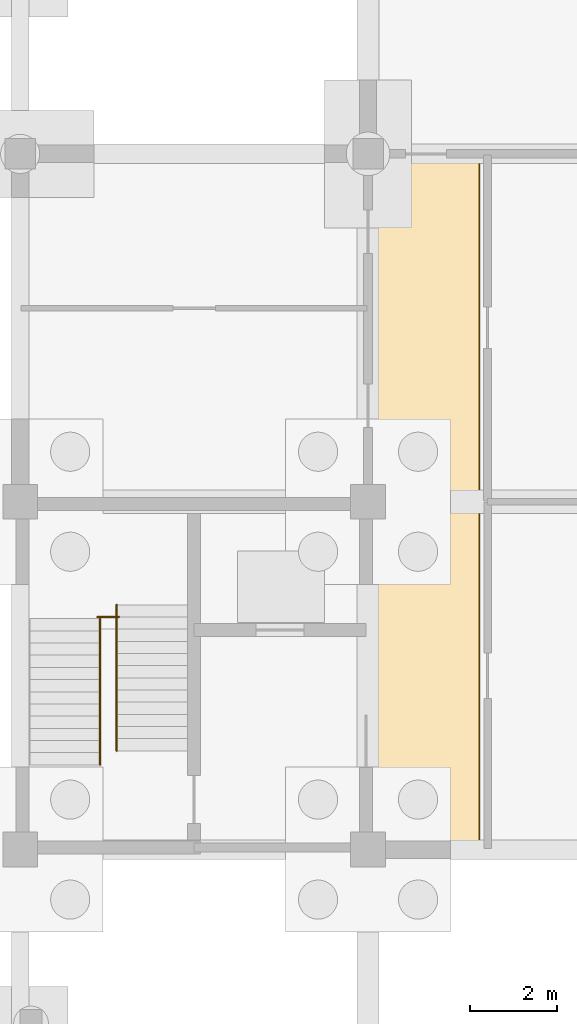
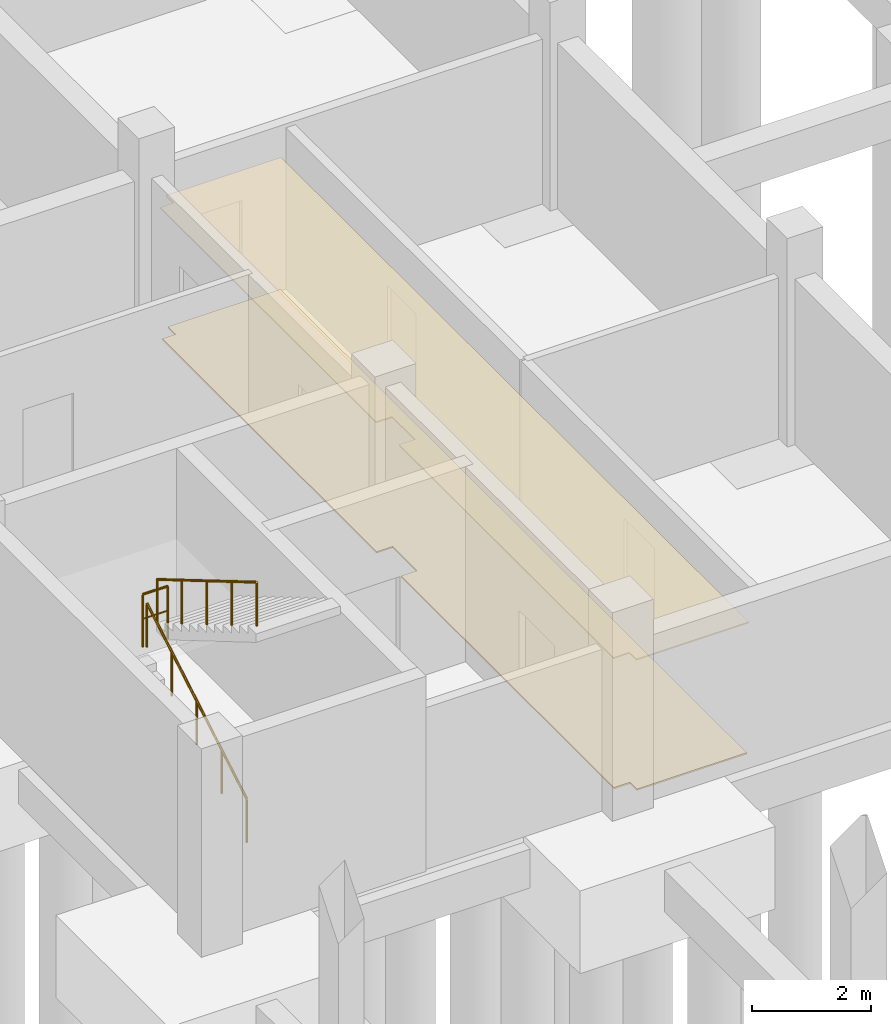
# One storey, part 40 of 48: 3 railings, 2 coverings.
"""IFC4 building model written with IfcOpenShell, lengths in metres."""

from ifc_helpers import new_model, si_unit, derived_unit, direction, frame, origin, origin_2d, place, context, subcontext, project, spatial, polyline, circle, outline, extrude, material, layer, layer_set, type_object, element, save


model = new_model("IFC4")

# Units and contexts
model_context = context("Model", 3, precision=1e-05, world=origin(), true_north=direction((0.0, 1.0)))
body_context = subcontext(model_context, "Body", "Model", "MODEL_VIEW")
ifc_project = project(units=[si_unit("LENGTHUNIT", "METRE"), si_unit("AREAUNIT", "SQUARE_METRE"), si_unit("VOLUMEUNIT", "CUBIC_METRE"), si_unit("PLANEANGLEUNIT", "RADIAN"), si_unit("MASSUNIT", "GRAM", prefix="KILO"), derived_unit("THERMALTRANSMITTANCEUNIT", [(si_unit("MASSUNIT", "GRAM", prefix="KILO"), 1), (si_unit("TIMEUNIT", "SECOND"), -3), (si_unit("THERMODYNAMICTEMPERATUREUNIT", "KELVIN"), -1)])], contexts=[model_context])

# Site, building, storey
site_placement = place(None, origin())
site = spatial("IfcSite", under=ifc_project, at=site_placement, CompositionType="ELEMENT")
building_placement = place(site_placement, origin())
building = spatial("IfcBuilding", under=site, at=building_placement, Name="Veyamyaing Civic Hall", CompositionType="ELEMENT")
storey_placement = place(building_placement, frame((0.0, 0.0, -4.2900390625)))
storey = spatial("IfcBuildingStorey", under=building, at=storey_placement, Name="B1", CompositionType="ELEMENT", Elevation=-4.2900390625)

# Coverings
ifc_material_1 = material(Name="Perforated acoustic gypsum ceiling board")
ifc_layer_1 = layer(ifc_material_1, 0.02490234375, Name="Perforated acoustic gypsum ceiling board")
ifc_layer_set_1 = layer_set([ifc_layer_1], Name="Perforated acoustic gypsum ceiling board")
covering_type_1 = type_object("IfcCoveringType", Name="CLG-01", PredefinedType="CEILING", material=ifc_layer_set_1)
covering_1_placement = place(storey_placement, frame((0.0, 0.0, 2.699951171875)))
element("IfcCovering", 1, at=covering_1_placement, inside=storey, type_object=covering_type_1, Name="Acoustic suspended ceiling CLG-01 B1-C02", PredefinedType="CEILING", context=body_context, shape_type="SweptSolid", body=[
    extrude(outline(polyline([(8.385009765625, 16.155029296875), (8.385009765625, 16.385009765625), (8.074951171875, 16.385009765625), (8.074951171875, 23.614990234375), (8.385009765625, 23.614990234375), (8.385009765625, 24.385009765625), (8.074951171875, 24.385009765625), (8.074951171875, 31.6650390625), (8.3349609375, 31.6650390625), (8.3349609375, 31.925048828125), (10.574951171875, 31.925048828125), (10.574951171875, 16.155029296875), (8.385009765625, 16.155029296875)])), origin(), (0.0, 0.0, 1.0), 0.025146484375),
])
ifc_material_2 = material(Name="Polished Mandalay marble and terrazzo flooring", Category="masonry")
ifc_layer_2 = layer(ifc_material_2, 0.030029296875, Name="Polished Mandalay marble and terrazzo flooring")
ifc_layer_set_2 = layer_set([ifc_layer_2], Name="Polished Mandalay marble and terrazzo flooring")
covering_type_2 = type_object("IfcCoveringType", Name="FLR-01", PredefinedType="FLOORING", material=ifc_layer_set_2)
covering_2_placement = place(storey_placement, origin())
element("IfcCovering", 2, at=covering_2_placement, inside=storey, type_object=covering_type_2, Name="Stone and terrazzo flooring FLR-01 B1-C02", PredefinedType="FLOORING", context=body_context, shape_type="SweptSolid", body=[
    extrude(outline(polyline([(8.409912109375, 16.179931640625), (8.409912109375, 16.409912109375), (8.10009765625, 16.409912109375), (8.10009765625, 23.590087890625), (8.409912109375, 23.590087890625), (8.409912109375, 24.409912109375), (8.10009765625, 24.409912109375), (8.10009765625, 31.639892578125), (8.360107421875, 31.639892578125), (8.360107421875, 31.89990234375), (10.550048828125, 31.89990234375), (10.550048828125, 16.179931640625), (8.409912109375, 16.179931640625)])), origin(), (0.0, 0.0, 1.0), 0.030029296875),
])

# Railings
ifc_material_3 = material(Name="Steel S355J2", Category="steel")
railing_type_1 = type_object("IfcRailingType", Name="RL-01", PredefinedType="BALUSTRADE", material=ifc_material_3)
railing_1_placement = place(storey_placement, frame((1.780029296875, 21.35009765625, 2.14501953125)))
element("IfcRailing", 3, at=railing_1_placement, inside=storey, type_object=railing_type_1, Name="Half-landing slot guard RL-01 ST-09 B1", PredefinedType="BALUSTRADE", context=body_context, shape_type="SweptSolid", body=[
    extrude(circle(Radius=0.02392578125, at=origin_2d()), frame((0.0, 0.0, 1.076171875), z_axis=(1.0, 0.0, 0.0), x_axis=(0.0, 1.0, 0.0)), (0.0, 0.0, 1.0), 0.489990234375),
    extrude(circle(Radius=0.01416015625, at=origin_2d()), frame((0.0, 0.0, 0.572021484375), z_axis=(1.0, 0.0, 0.0), x_axis=(0.0, 1.0, 0.0)), (0.0, 0.0, 1.0), 0.489990234375),
    extrude(circle(Radius=0.02099609375, at=origin_2d()), origin(), (0.0, 0.0, 1.0), 1.052001953125),
    extrude(circle(Radius=0.02099609375, at=origin_2d()), frame((0.489990234375, 0.0, 0.0)), (0.0, 0.0, 1.0), 1.052001953125),
])
railing_type_2 = type_object("IfcRailingType", Name="RL-02", PredefinedType="HANDRAIL", material=ifc_material_3)
railing_2_placement = place(storey_placement, frame((1.840087890625, 17.949951171875, 0.1650390625)))
element("IfcRailing", 4, at=railing_2_placement, inside=storey, type_object=railing_type_2, Name="Stair pitch handrail RL-02 ST-09 B1.1", PredefinedType="HANDRAIL", context=body_context, shape_type="SweptSolid", body=[
    extrude(circle(Radius=0.02392578125, at=origin_2d()), frame((0.0, 0.0, 0.89599609375), z_axis=(0.0, 0.861547751209, 0.507676543073), x_axis=(-1.0, 0.0, 0.0)), (0.0, 0.0, 1.0), 3.900146484375),
    extrude(circle(Radius=0.02099609375, at=origin_2d()), origin(), (0.0, 0.0, 1.0), 0.871826171875),
    extrude(circle(Radius=0.02099609375, at=origin_2d()), frame((0.0, 0.840087890625, 0.4951171875)), (0.0, 0.0, 1.0), 0.871826171875),
    extrude(circle(Radius=0.02099609375, at=origin_2d()), frame((0.0, 1.68017578125, 0.989990234375)), (0.0, 0.0, 1.0), 0.871826171875),
    extrude(circle(Radius=0.02099609375, at=origin_2d()), frame((0.0, 2.52001953125, 1.48486328125)), (0.0, 0.0, 1.0), 0.871826171875),
    extrude(circle(Radius=0.02099609375, at=origin_2d()), frame((0.0, 3.360107421875, 1.97998046875)), (0.0, 0.0, 1.0), 0.871826171875),
])
railing_3_placement = place(storey_placement, frame((2.219970703125, 21.6298828125, 2.31005859375)))
element("IfcRailing", 5, at=railing_3_placement, inside=storey, type_object=railing_type_2, Name="Stair pitch handrail RL-02 ST-09 B1.2", PredefinedType="HANDRAIL", context=body_context, shape_type="SweptSolid", body=[
    extrude(circle(Radius=0.02392578125, at=origin_2d()), frame((0.0, 0.0, 0.89599609375), z_axis=(0.0, -0.861531615964, 0.507703924246), x_axis=(1.0, 0.0, 0.0)), (0.0, 0.0, 1.0), 3.89990234375),
    extrude(circle(Radius=0.02099609375, at=origin_2d()), origin(), (0.0, 0.0, 1.0), 0.871826171875),
    extrude(circle(Radius=0.02099609375, at=origin_2d()), frame((0.0, -0.83984375, 0.4951171875)), (0.0, 0.0, 1.0), 0.871826171875),
    extrude(circle(Radius=0.02099609375, at=origin_2d()), frame((0.0, -1.679931640625, 0.989990234375)), (0.0, 0.0, 1.0), 0.871826171875),
    extrude(circle(Radius=0.02099609375, at=origin_2d()), frame((0.0, -2.52001953125, 1.48486328125)), (0.0, 0.0, 1.0), 0.871826171875),
    extrude(circle(Radius=0.02099609375, at=origin_2d()), frame((0.0, -3.35986328125, 1.97998046875)), (0.0, 0.0, 1.0), 0.871826171875),
])

save(model, "model.ifc")
